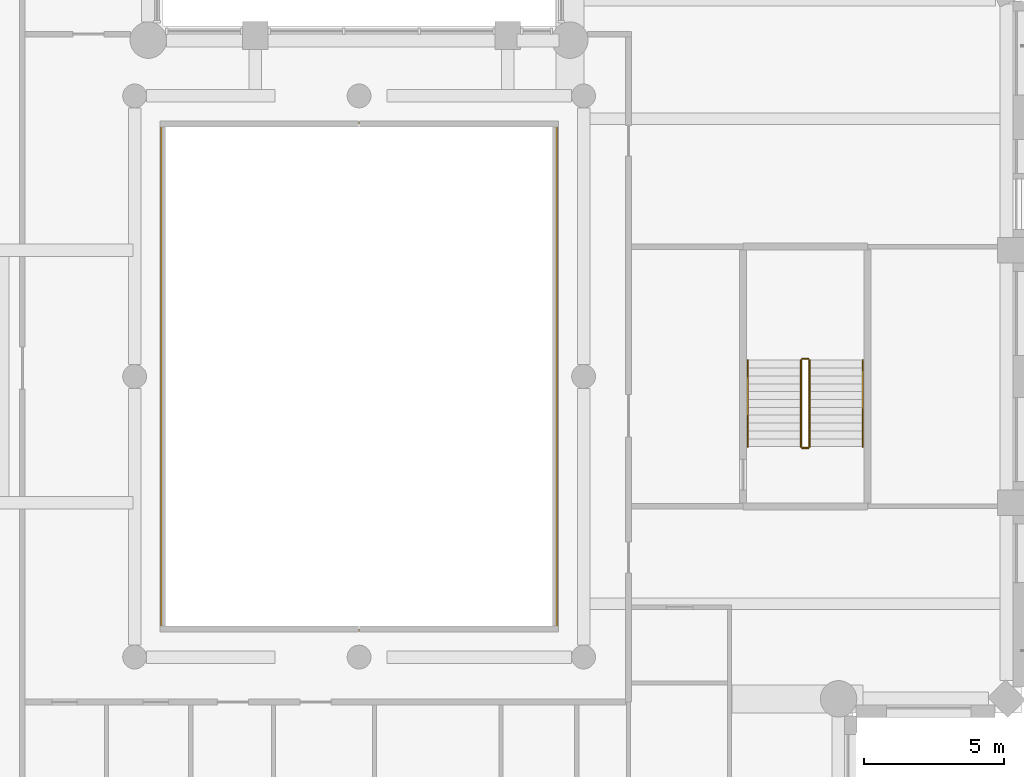
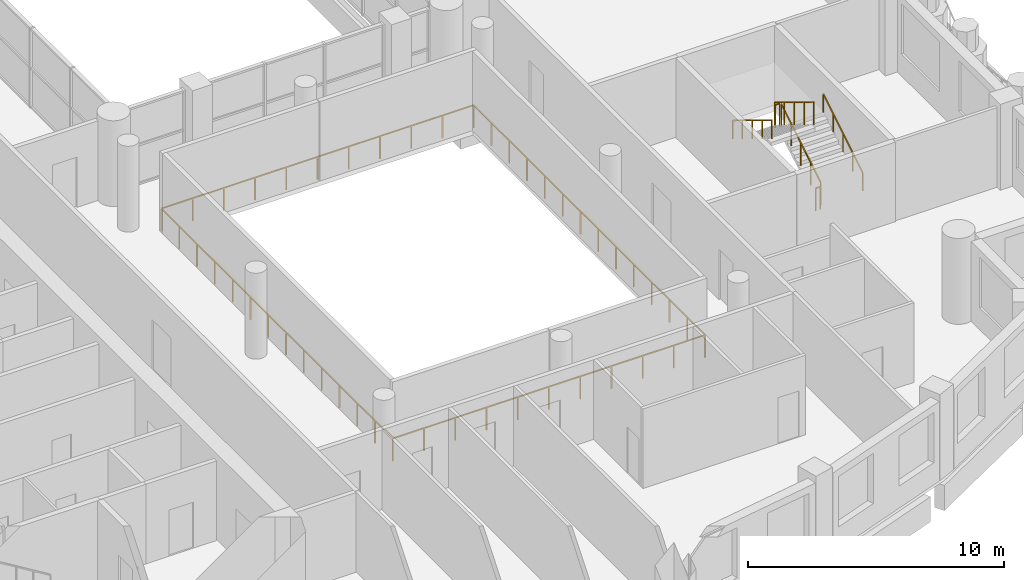
# One storey, part 12 of 15: 7 railings.
"""IFC4 building model written with IfcOpenShell, lengths in metres."""

from ifc_helpers import new_model, si_unit, direction, frame, origin, origin_2d, place, context, subcontext, project, spatial, rectangle, extrude, material, type_object, element, save


model = new_model("IFC4")

# Units and contexts
model_context = context("Model", 3, precision=1e-05, world=origin(), true_north=direction((0.0, 1.0)))
body_context = subcontext(model_context, "Body", "Model", "MODEL_VIEW")
ifc_project = project(units=[si_unit("LENGTHUNIT", "METRE"), si_unit("AREAUNIT", "SQUARE_METRE"), si_unit("VOLUMEUNIT", "CUBIC_METRE"), si_unit("PLANEANGLEUNIT", "RADIAN"), si_unit("MASSUNIT", "GRAM", prefix="KILO")], contexts=[model_context])

# Site, building, storey
site_placement = place(None, origin())
site = spatial("IfcSite", under=ifc_project, at=site_placement, CompositionType="ELEMENT")
building_placement = place(site_placement, origin())
building = spatial("IfcBuilding", under=site, at=building_placement, Name="Cypress Arch Tower", CompositionType="ELEMENT")
storey_placement = place(building_placement, frame((0.0, 0.0, 243.39990234375)))
storey = spatial("IfcBuildingStorey", under=building, at=storey_placement, Name="L54", CompositionType="ELEMENT", Elevation=243.39990234375)

# Railings
ifc_material_1 = material(Name="Stainless steel posts and handrail, laminated glass infill", Category="steel")
railing_type_1 = type_object("IfcRailingType", Name="Atrium guard GR1100A", PredefinedType="GUARDRAIL", material=ifc_material_1)
railing_1_placement = place(storey_placement, frame((8.050048828125, -9.050048828125, 0.0)))
element("IfcRailing", 1, at=railing_1_placement, inside=storey, type_object=railing_type_1, Name="Atrium guard L54", PredefinedType="GUARDRAIL", context=body_context, shape_type="SweptSolid", body=[
    extrude(rectangle(XDim=0.050048828125, YDim=0.050048828125, at=origin_2d()), frame((0.0, 0.0, 1.0751953125), z_axis=(-1.0, 0.0, 0.0), x_axis=(0.0, -1.0, 0.0)), (0.0, 0.0, 1.0), 14.10009765625),
    extrude(rectangle(XDim=0.050048828125, YDim=0.050048828125, at=origin_2d()), frame((-14.10009765625, 0.0, 1.0751953125), z_axis=(0.0, 1.0, 0.0), x_axis=(-1.0, 0.0, 0.0)), (0.0, 0.0, 1.0), 18.10009765625),
    extrude(rectangle(XDim=0.050048828125, YDim=0.050048828125, at=origin_2d()), frame((-14.10009765625, 18.10009765625, 1.0751953125), z_axis=(1.0, 0.0, 0.0), x_axis=(0.0, 1.0, 0.0)), (0.0, 0.0, 1.0), 14.10009765625),
    extrude(rectangle(XDim=0.050048828125, YDim=0.050048828125, at=origin_2d()), frame((0.0, 18.10009765625, 1.0751953125), z_axis=(0.0, -1.0, 0.0), x_axis=(1.0, 0.0, 0.0)), (0.0, 0.0, 1.0), 18.10009765625),
    extrude(rectangle(XDim=0.050048828125, YDim=0.050048828125, at=origin_2d()), origin(), (0.0, 0.0, 1.0), 1.050048828125),
    extrude(rectangle(XDim=0.050048828125, YDim=0.050048828125, at=origin_2d()), frame((-1.409912109375, 0.0, 0.0)), (0.0, 0.0, 1.0), 1.050048828125),
    extrude(rectangle(XDim=0.050048828125, YDim=0.050048828125, at=origin_2d()), frame((-2.820068359375, 0.0, 0.0)), (0.0, 0.0, 1.0), 1.050048828125),
    extrude(rectangle(XDim=0.050048828125, YDim=0.050048828125, at=origin_2d()), frame((-4.22998046875, 0.0, 0.0)), (0.0, 0.0, 1.0), 1.050048828125),
    extrude(rectangle(XDim=0.050048828125, YDim=0.050048828125, at=origin_2d()), frame((-5.64013671875, 0.0, 0.0)), (0.0, 0.0, 1.0), 1.050048828125),
    extrude(rectangle(XDim=0.050048828125, YDim=0.050048828125, at=origin_2d()), frame((-7.050048828125, 0.0, 0.0)), (0.0, 0.0, 1.0), 1.050048828125),
    extrude(rectangle(XDim=0.050048828125, YDim=0.050048828125, at=origin_2d()), frame((-8.4599609375, 0.0, 0.0)), (0.0, 0.0, 1.0), 1.050048828125),
    extrude(rectangle(XDim=0.050048828125, YDim=0.050048828125, at=origin_2d()), frame((-9.8701171875, 0.0, 0.0)), (0.0, 0.0, 1.0), 1.050048828125),
    extrude(rectangle(XDim=0.050048828125, YDim=0.050048828125, at=origin_2d()), frame((-11.280029296875, 0.0, 0.0)), (0.0, 0.0, 1.0), 1.050048828125),
    extrude(rectangle(XDim=0.050048828125, YDim=0.050048828125, at=origin_2d()), frame((-12.690185546875, 0.0, 0.0)), (0.0, 0.0, 1.0), 1.050048828125),
    extrude(rectangle(XDim=0.050048828125, YDim=0.050048828125, at=origin_2d()), frame((-14.10009765625, 0.0, 0.0)), (0.0, 0.0, 1.0), 1.050048828125),
    extrude(rectangle(XDim=0.050048828125, YDim=0.050048828125, at=origin_2d()), frame((-14.10009765625, 1.392333984375, 0.0)), (0.0, 0.0, 1.0), 1.050048828125),
    extrude(rectangle(XDim=0.050048828125, YDim=0.050048828125, at=origin_2d()), frame((-14.10009765625, 2.78466796875, 0.0)), (0.0, 0.0, 1.0), 1.050048828125),
    extrude(rectangle(XDim=0.050048828125, YDim=0.050048828125, at=origin_2d()), frame((-14.10009765625, 4.177001953125, 0.0)), (0.0, 0.0, 1.0), 1.050048828125),
    extrude(rectangle(XDim=0.050048828125, YDim=0.050048828125, at=origin_2d()), frame((-14.10009765625, 5.5693359375, 0.0)), (0.0, 0.0, 1.0), 1.050048828125),
    extrude(rectangle(XDim=0.050048828125, YDim=0.050048828125, at=origin_2d()), frame((-14.10009765625, 6.961669921875, 0.0)), (0.0, 0.0, 1.0), 1.050048828125),
    extrude(rectangle(XDim=0.050048828125, YDim=0.050048828125, at=origin_2d()), frame((-14.10009765625, 8.35400390625, 0.0)), (0.0, 0.0, 1.0), 1.050048828125),
    extrude(rectangle(XDim=0.050048828125, YDim=0.050048828125, at=origin_2d()), frame((-14.10009765625, 9.74609375, 0.0)), (0.0, 0.0, 1.0), 1.050048828125),
    extrude(rectangle(XDim=0.050048828125, YDim=0.050048828125, at=origin_2d()), frame((-14.10009765625, 11.138427734375, 0.0)), (0.0, 0.0, 1.0), 1.050048828125),
    extrude(rectangle(XDim=0.050048828125, YDim=0.050048828125, at=origin_2d()), frame((-14.10009765625, 12.53076171875, 0.0)), (0.0, 0.0, 1.0), 1.050048828125),
    extrude(rectangle(XDim=0.050048828125, YDim=0.050048828125, at=origin_2d()), frame((-14.10009765625, 13.923095703125, 0.0)), (0.0, 0.0, 1.0), 1.050048828125),
    extrude(rectangle(XDim=0.050048828125, YDim=0.050048828125, at=origin_2d()), frame((-14.10009765625, 15.3154296875, 0.0)), (0.0, 0.0, 1.0), 1.050048828125),
    extrude(rectangle(XDim=0.050048828125, YDim=0.050048828125, at=origin_2d()), frame((-14.10009765625, 16.707763671875, 0.0)), (0.0, 0.0, 1.0), 1.050048828125),
    extrude(rectangle(XDim=0.050048828125, YDim=0.050048828125, at=origin_2d()), frame((-14.10009765625, 18.10009765625, 0.0)), (0.0, 0.0, 1.0), 1.050048828125),
    extrude(rectangle(XDim=0.050048828125, YDim=0.050048828125, at=origin_2d()), frame((-12.690185546875, 18.10009765625, 0.0)), (0.0, 0.0, 1.0), 1.050048828125),
    extrude(rectangle(XDim=0.050048828125, YDim=0.050048828125, at=origin_2d()), frame((-11.280029296875, 18.10009765625, 0.0)), (0.0, 0.0, 1.0), 1.050048828125),
    extrude(rectangle(XDim=0.050048828125, YDim=0.050048828125, at=origin_2d()), frame((-9.8701171875, 18.10009765625, 0.0)), (0.0, 0.0, 1.0), 1.050048828125),
    extrude(rectangle(XDim=0.050048828125, YDim=0.050048828125, at=origin_2d()), frame((-8.4599609375, 18.10009765625, 0.0)), (0.0, 0.0, 1.0), 1.050048828125),
    extrude(rectangle(XDim=0.050048828125, YDim=0.050048828125, at=origin_2d()), frame((-7.050048828125, 18.10009765625, 0.0)), (0.0, 0.0, 1.0), 1.050048828125),
    extrude(rectangle(XDim=0.050048828125, YDim=0.050048828125, at=origin_2d()), frame((-5.64013671875, 18.10009765625, 0.0)), (0.0, 0.0, 1.0), 1.050048828125),
    extrude(rectangle(XDim=0.050048828125, YDim=0.050048828125, at=origin_2d()), frame((-4.22998046875, 18.10009765625, 0.0)), (0.0, 0.0, 1.0), 1.050048828125),
    extrude(rectangle(XDim=0.050048828125, YDim=0.050048828125, at=origin_2d()), frame((-2.820068359375, 18.10009765625, 0.0)), (0.0, 0.0, 1.0), 1.050048828125),
    extrude(rectangle(XDim=0.050048828125, YDim=0.050048828125, at=origin_2d()), frame((-1.409912109375, 18.10009765625, 0.0)), (0.0, 0.0, 1.0), 1.050048828125),
    extrude(rectangle(XDim=0.050048828125, YDim=0.050048828125, at=origin_2d()), frame((0.0, 18.10009765625, 0.0)), (0.0, 0.0, 1.0), 1.050048828125),
    extrude(rectangle(XDim=0.050048828125, YDim=0.050048828125, at=origin_2d()), frame((0.0, 16.707763671875, 0.0)), (0.0, 0.0, 1.0), 1.050048828125),
    extrude(rectangle(XDim=0.050048828125, YDim=0.050048828125, at=origin_2d()), frame((0.0, 15.3154296875, 0.0)), (0.0, 0.0, 1.0), 1.050048828125),
    extrude(rectangle(XDim=0.050048828125, YDim=0.050048828125, at=origin_2d()), frame((0.0, 13.923095703125, 0.0)), (0.0, 0.0, 1.0), 1.050048828125),
    extrude(rectangle(XDim=0.050048828125, YDim=0.050048828125, at=origin_2d()), frame((0.0, 12.53076171875, 0.0)), (0.0, 0.0, 1.0), 1.050048828125),
    extrude(rectangle(XDim=0.050048828125, YDim=0.050048828125, at=origin_2d()), frame((0.0, 11.138427734375, 0.0)), (0.0, 0.0, 1.0), 1.050048828125),
    extrude(rectangle(XDim=0.050048828125, YDim=0.050048828125, at=origin_2d()), frame((0.0, 9.74609375, 0.0)), (0.0, 0.0, 1.0), 1.050048828125),
    extrude(rectangle(XDim=0.050048828125, YDim=0.050048828125, at=origin_2d()), frame((0.0, 8.35400390625, 0.0)), (0.0, 0.0, 1.0), 1.050048828125),
    extrude(rectangle(XDim=0.050048828125, YDim=0.050048828125, at=origin_2d()), frame((0.0, 6.961669921875, 0.0)), (0.0, 0.0, 1.0), 1.050048828125),
    extrude(rectangle(XDim=0.050048828125, YDim=0.050048828125, at=origin_2d()), frame((0.0, 5.5693359375, 0.0)), (0.0, 0.0, 1.0), 1.050048828125),
    extrude(rectangle(XDim=0.050048828125, YDim=0.050048828125, at=origin_2d()), frame((0.0, 4.177001953125, 0.0)), (0.0, 0.0, 1.0), 1.050048828125),
    extrude(rectangle(XDim=0.050048828125, YDim=0.050048828125, at=origin_2d()), frame((0.0, 2.78466796875, 0.0)), (0.0, 0.0, 1.0), 1.050048828125),
    extrude(rectangle(XDim=0.050048828125, YDim=0.050048828125, at=origin_2d()), frame((0.0, 1.392333984375, 0.0)), (0.0, 0.0, 1.0), 1.050048828125),
])
ifc_material_2 = material(Name="Black powder-coated steel square bar 48 mm", Category="steel")
railing_type_2 = type_object("IfcRailingType", Name="Stair handrail HR1", PredefinedType="HANDRAIL", material=ifc_material_2)
railing_2_placement = place(storey_placement, frame((18.949951171875, -2.5, 0.1708984375)))
element("IfcRailing", 2, at=railing_2_placement, inside=storey, type_object=railing_type_2, Name="L54 C stair handrail 1", PredefinedType="HANDRAIL", context=body_context, shape_type="SweptSolid", body=[
    extrude(rectangle(XDim=0.048095703125, YDim=0.048095703125, at=origin_2d()), frame((0.0, 0.0, 0.8759765625), z_axis=(0.0, 0.853666305674, 0.52082035152), x_axis=(-1.0, 0.0, 0.0)), (0.0, 0.0, 1.0), 3.608154296875),
    extrude(rectangle(XDim=0.0419921875, YDim=0.0419921875, at=origin_2d()), origin(), (0.0, 0.0, 1.0), 0.851806640625),
    extrude(rectangle(XDim=0.0419921875, YDim=0.0419921875, at=origin_2d()), frame((0.0, 0.77001953125, 0.4697265625)), (0.0, 0.0, 1.0), 0.851806640625),
    extrude(rectangle(XDim=0.0419921875, YDim=0.0419921875, at=origin_2d()), frame((0.0, 1.5400390625, 0.939453125)), (0.0, 0.0, 1.0), 0.851806640625),
    extrude(rectangle(XDim=0.0419921875, YDim=0.0419921875, at=origin_2d()), frame((0.0, 2.31005859375, 1.409423828125)), (0.0, 0.0, 1.0), 0.851806640625),
    extrude(rectangle(XDim=0.0419921875, YDim=0.0419921875, at=origin_2d()), frame((0.0, 3.080078125, 1.879150390625)), (0.0, 0.0, 1.0), 0.851806640625),
])
railing_3_placement = place(storey_placement, frame((14.85009765625, 0.580078125, 2.220947265625)))
element("IfcRailing", 3, at=railing_3_placement, inside=storey, type_object=railing_type_2, Name="L54 C stair handrail 2", PredefinedType="HANDRAIL", context=body_context, shape_type="SweptSolid", body=[
    extrude(rectangle(XDim=0.048095703125, YDim=0.048095703125, at=origin_2d()), frame((0.0, 0.0, 0.8759765625), z_axis=(0.0, -0.853666305674, 0.52082035152), x_axis=(1.0, 0.0, 0.0)), (0.0, 0.0, 1.0), 3.608154296875),
    extrude(rectangle(XDim=0.0419921875, YDim=0.0419921875, at=origin_2d()), origin(), (0.0, 0.0, 1.0), 0.851806640625),
    extrude(rectangle(XDim=0.0419921875, YDim=0.0419921875, at=origin_2d()), frame((0.0, -0.77001953125, 0.4697265625)), (0.0, 0.0, 1.0), 0.851806640625),
    extrude(rectangle(XDim=0.0419921875, YDim=0.0419921875, at=origin_2d()), frame((0.0, -1.5400390625, 0.939453125)), (0.0, 0.0, 1.0), 0.851806640625),
    extrude(rectangle(XDim=0.0419921875, YDim=0.0419921875, at=origin_2d()), frame((0.0, -2.31005859375, 1.409423828125)), (0.0, 0.0, 1.0), 0.851806640625),
    extrude(rectangle(XDim=0.0419921875, YDim=0.0419921875, at=origin_2d()), frame((0.0, -3.080078125, 1.879150390625)), (0.0, 0.0, 1.0), 0.851806640625),
])
ifc_material_3 = material(Name="Black powder-coated steel balusters", Category="steel")
railing_type_3 = type_object("IfcRailingType", Name="Stair well guard G1", PredefinedType="GUARDRAIL", material=ifc_material_3)
railing_4_placement = place(storey_placement, frame((17.050048828125, -2.5, 0.1708984375)))
element("IfcRailing", 4, at=railing_4_placement, inside=storey, type_object=railing_type_3, Name="L54 C stair guard 1", PredefinedType="GUARDRAIL", context=body_context, shape_type="SweptSolid", body=[
    extrude(rectangle(XDim=0.048095703125, YDim=0.048095703125, at=origin_2d()), frame((0.0, 0.0, 1.076171875), z_axis=(0.0, 0.853666305674, 0.52082035152), x_axis=(-1.0, 0.0, 0.0)), (0.0, 0.0, 1.0), 3.608154296875),
    extrude(rectangle(XDim=0.0419921875, YDim=0.0419921875, at=origin_2d()), origin(), (0.0, 0.0, 1.0), 1.052001953125),
    extrude(rectangle(XDim=0.0419921875, YDim=0.0419921875, at=origin_2d()), frame((0.0, 0.77001953125, 0.4697265625)), (0.0, 0.0, 1.0), 1.052001953125),
    extrude(rectangle(XDim=0.0419921875, YDim=0.0419921875, at=origin_2d()), frame((0.0, 1.5400390625, 0.939453125)), (0.0, 0.0, 1.0), 1.052001953125),
    extrude(rectangle(XDim=0.0419921875, YDim=0.0419921875, at=origin_2d()), frame((0.0, 2.31005859375, 1.409423828125)), (0.0, 0.0, 1.0), 1.052001953125),
    extrude(rectangle(XDim=0.0419921875, YDim=0.0419921875, at=origin_2d()), frame((0.0, 3.080078125, 1.879150390625)), (0.0, 0.0, 1.0), 1.052001953125),
])
railing_5_placement = place(storey_placement, frame((17.0, 0.6298828125, 2.050048828125)))
element("IfcRailing", 5, at=railing_5_placement, inside=storey, type_object=railing_type_3, Name="L54 C stair guard 2", PredefinedType="GUARDRAIL", context=body_context, shape_type="SweptSolid", body=[
    extrude(rectangle(XDim=0.048095703125, YDim=0.048095703125, at=origin_2d()), frame((0.0, 0.0, 1.076171875), z_axis=(-1.0, 0.0, 0.0), x_axis=(0.0, -1.0, 0.0)), (0.0, 0.0, 1.0), 0.199951171875),
    extrude(rectangle(XDim=0.0419921875, YDim=0.0419921875, at=origin_2d()), origin(), (0.0, 0.0, 1.0), 1.052001953125),
    extrude(rectangle(XDim=0.0419921875, YDim=0.0419921875, at=origin_2d()), frame((-0.199951171875, 0.0, 0.0)), (0.0, 0.0, 1.0), 1.052001953125),
])
railing_6_placement = place(storey_placement, frame((16.75, 0.580078125, 2.220947265625)))
element("IfcRailing", 6, at=railing_6_placement, inside=storey, type_object=railing_type_3, Name="L54 C stair guard 3", PredefinedType="GUARDRAIL", context=body_context, shape_type="SweptSolid", body=[
    extrude(rectangle(XDim=0.048095703125, YDim=0.048095703125, at=origin_2d()), frame((0.0, 0.0, 1.076171875), z_axis=(0.0, -0.853666305674, 0.52082035152), x_axis=(1.0, 0.0, 0.0)), (0.0, 0.0, 1.0), 3.608154296875),
    extrude(rectangle(XDim=0.0419921875, YDim=0.0419921875, at=origin_2d()), origin(), (0.0, 0.0, 1.0), 1.052001953125),
    extrude(rectangle(XDim=0.0419921875, YDim=0.0419921875, at=origin_2d()), frame((0.0, -0.77001953125, 0.4697265625)), (0.0, 0.0, 1.0), 1.052001953125),
    extrude(rectangle(XDim=0.0419921875, YDim=0.0419921875, at=origin_2d()), frame((0.0, -1.5400390625, 0.939453125)), (0.0, 0.0, 1.0), 1.052001953125),
    extrude(rectangle(XDim=0.0419921875, YDim=0.0419921875, at=origin_2d()), frame((0.0, -2.31005859375, 1.409423828125)), (0.0, 0.0, 1.0), 1.052001953125),
    extrude(rectangle(XDim=0.0419921875, YDim=0.0419921875, at=origin_2d()), frame((0.0, -3.080078125, 1.879150390625)), (0.0, 0.0, 1.0), 1.052001953125),
])
railing_7_placement = place(storey_placement, frame((17.0, -2.550048828125, 0.0)))
element("IfcRailing", 7, at=railing_7_placement, inside=storey, type_object=railing_type_3, Name="L54 C stair guard 4", PredefinedType="GUARDRAIL", context=body_context, shape_type="SweptSolid", body=[
    extrude(rectangle(XDim=0.048095703125, YDim=0.048095703125, at=origin_2d()), frame((0.0, 0.0, 1.076171875), z_axis=(-1.0, 0.0, 0.0), x_axis=(0.0, -1.0, 0.0)), (0.0, 0.0, 1.0), 0.199951171875),
    extrude(rectangle(XDim=0.0419921875, YDim=0.0419921875, at=origin_2d()), origin(), (0.0, 0.0, 1.0), 1.052001953125),
    extrude(rectangle(XDim=0.0419921875, YDim=0.0419921875, at=origin_2d()), frame((-0.199951171875, 0.0, 0.0)), (0.0, 0.0, 1.0), 1.052001953125),
])

save(model, "model.ifc")
